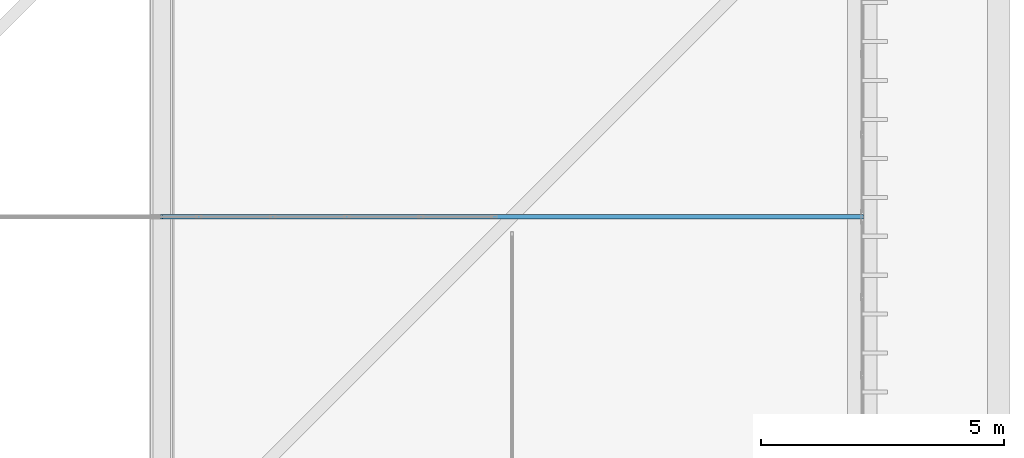
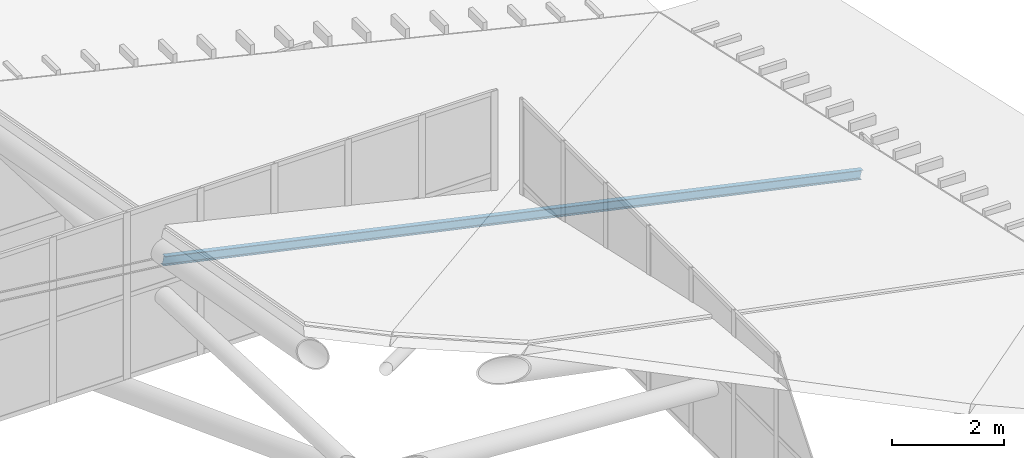
# One storey, part 343 of 397: 1 member.
"""IFC4 building model written with IfcOpenShell, lengths in metres."""

from ifc_helpers import new_model, si_unit, direction, frame, origin, origin_2d, place, context, subcontext, project, spatial, i_section, extrude, material, material_profile, profile_set, type_object, element, save


model = new_model("IFC4")

# Units and contexts
model_context = context("Model", 3, precision=1e-05, world=origin(), true_north=direction((0.0, 1.0)))
body_context = subcontext(model_context, "Body", "Model", "MODEL_VIEW")
ifc_project = project(units=[si_unit("LENGTHUNIT", "METRE"), si_unit("AREAUNIT", "SQUARE_METRE"), si_unit("VOLUMEUNIT", "CUBIC_METRE"), si_unit("PLANEANGLEUNIT", "RADIAN"), si_unit("MASSUNIT", "GRAM", prefix="KILO")], contexts=[model_context])

# Site, building, storey
site_placement = place(None, origin())
site = spatial("IfcSite", under=ifc_project, at=site_placement, CompositionType="ELEMENT")
building_placement = place(site_placement, origin())
building = spatial("IfcBuilding", under=site, at=building_placement, Name="Qandorah Velis Arena", CompositionType="ELEMENT")
storey_placement = place(building_placement, frame((0.0, 0.0, 27.5)))
storey = spatial("IfcBuildingStorey", under=building, at=storey_placement, Name="RF", CompositionType="ELEMENT", Elevation=27.5)

# Member
ifc_material = material(Name="Steel S355", Category="steel")
ifc_material_profile = material_profile(ifc_material, i_section(OverallWidth=0.10009765625, OverallDepth=0.199951171875, WebThickness=0.005615234375, FlangeThickness=0.008544921875, FilletRadius=0.011962890625, at=origin_2d()), Name="IPE 200")
ifc_profile_set = profile_set([ifc_material_profile], Name="Steel S355")
member_type = type_object("IfcMemberType", Name="STR-PRL-IPE200", PredefinedType="PURLIN", material=ifc_profile_set)
member_placement = place(storey_placement, frame((100.800048828125, 108.0, 5.938720703125), z_axis=(0.976835362502, 0.0, -0.213992230153), x_axis=(0.0, 1.0, 0.0)))
element("IfcMember", 1, at=member_placement, inside=storey, type_object=member_type, Name="Arena roof purlin PRL-6.6", PredefinedType="PURLIN", context=body_context, shape_type="SweptSolid", body=[
    extrude(i_section(OverallWidth=0.10009765625, OverallDepth=0.199951171875, WebThickness=0.005615234375, FlangeThickness=0.008544921875, FilletRadius=0.011962890625, at=origin_2d()), origin(), (0.0, 0.0, 1.0), 14.741455078125),
])

save(model, "model.ifc")
